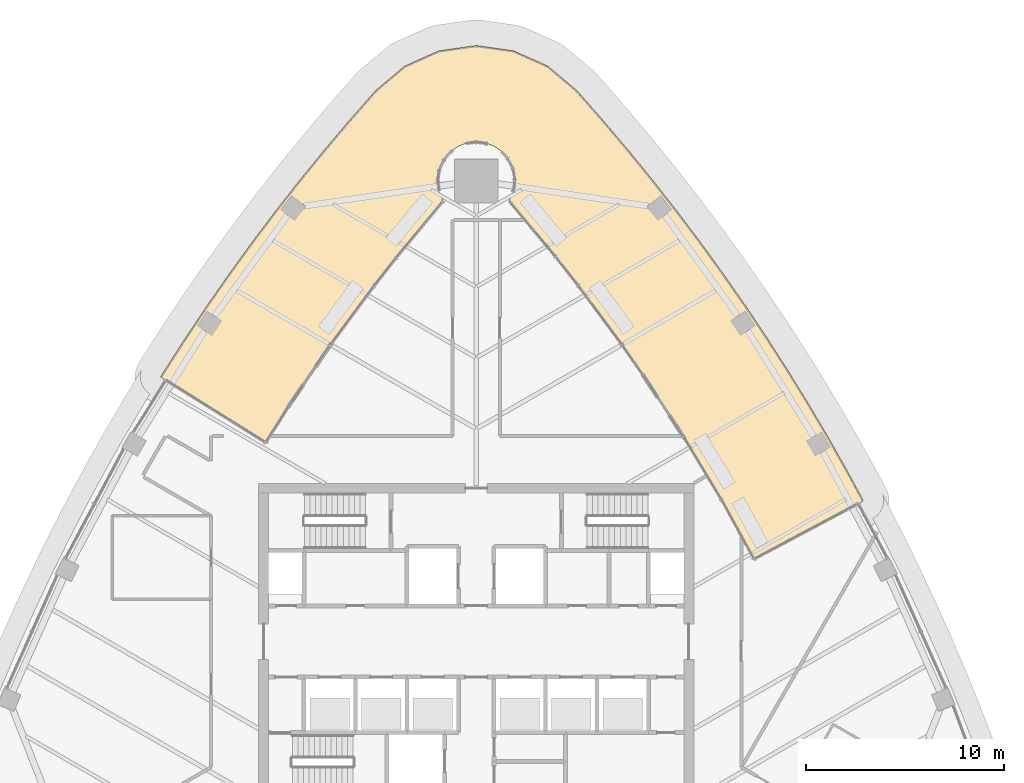
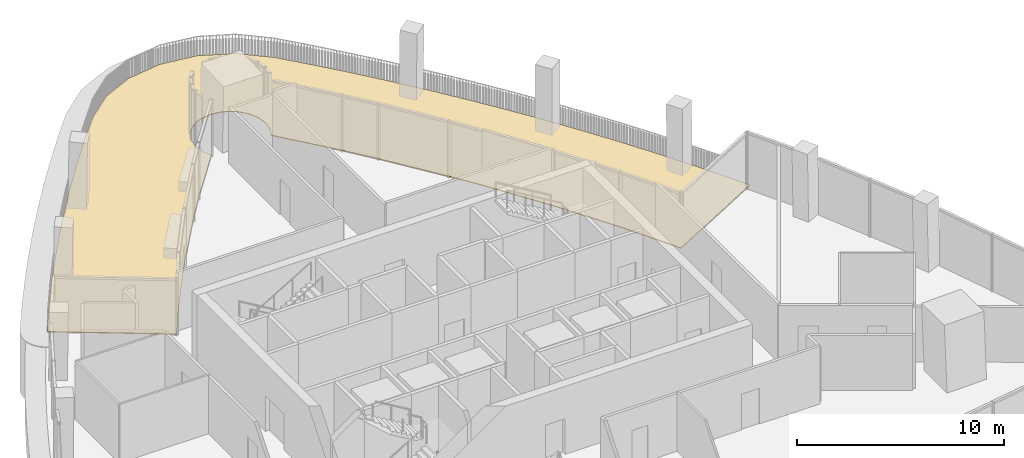
# One storey, part 16 of 18: 1 covering.
"""IFC4 building model written with IfcOpenShell, lengths in metres."""

from ifc_helpers import new_model, si_unit, direction, frame, origin, place, context, subcontext, project, spatial, polyline, outline, extrude, material, layer, layer_set, type_object, element, save


model = new_model("IFC4")

# Units and contexts
model_context = context("Model", 3, precision=1e-05, world=origin(), true_north=direction((0.0, 1.0)))
body_context = subcontext(model_context, "Body", "Model", "MODEL_VIEW")
ifc_project = project(units=[si_unit("LENGTHUNIT", "METRE"), si_unit("AREAUNIT", "SQUARE_METRE"), si_unit("VOLUMEUNIT", "CUBIC_METRE"), si_unit("PLANEANGLEUNIT", "RADIAN"), si_unit("MASSUNIT", "GRAM", prefix="KILO")], contexts=[model_context])

# Site, building, storey
site_placement = place(None, origin())
site = spatial("IfcSite", under=ifc_project, at=site_placement, CompositionType="ELEMENT")
building_placement = place(site_placement, origin())
building = spatial("IfcBuilding", under=site, at=building_placement, Name="Sierra Prisma Convention Tower", CompositionType="ELEMENT")
storey_placement = place(building_placement, frame((0.0, 0.0, 307.0)))
storey = spatial("IfcBuildingStorey", under=building, at=storey_placement, Name="L70", CompositionType="ELEMENT", Elevation=307.0)

# Covering
ifc_material = material(Name="Porcelain stoneware paving", Category="masonry")
ifc_layer = layer(ifc_material, 0.0400390625)
ifc_layer_set = layer_set([ifc_layer], Name="Terrace paving")
covering_type = type_object("IfcCoveringType", Name="Terrace paving", PredefinedType="FLOORING", material=ifc_layer_set)
covering_placement = place(storey_placement, origin())
element("IfcCovering", 1, at=covering_placement, inside=storey, type_object=covering_type, Name="Terrace paving L70", PredefinedType="FLOORING", context=body_context, shape_type="SweptSolid", body=[
    extrude(outline(polyline([(19.568603515625, 7.124755859375), (18.789794921875, 8.566650390625), (17.81787109375, 10.287109375), (16.813720703125, 11.989013671875), (15.77783203125, 13.671875), (14.71044921875, 15.334716796875), (13.612060546875, 16.977294921875), (12.48291015625, 18.598876953125), (11.3232421875, 20.198974609375), (10.1337890625, 21.77685546875), (8.9150390625, 23.33203125), (7.6669921875, 24.8642578125), (6.390625, 26.37255859375), (5.0859375, 27.856689453125), (3.628173828125, 29.0849609375), (1.8876953125, 29.8623046875), (0.0, 30.12841796875), (-1.8876953125, 29.8623046875), (-3.628173828125, 29.0849609375), (-5.0859375, 27.856689453125), (-6.390625, 26.37255859375), (-7.6669921875, 24.8642578125), (-8.9150390625, 23.33203125), (-10.1337890625, 21.77685546875), (-11.3232421875, 20.198974609375), (-12.48291015625, 18.598876953125), (-13.612060546875, 16.977294921875), (-14.71044921875, 15.334716796875), (-15.77783203125, 13.671875), (-15.954833984375, 13.384521484375), (-10.6396484375, 10.068603515625), (-9.482421875, 11.9091796875), (-7.387451171875, 14.97900390625), (-5.17822265625, 17.9677734375), (-4.031982421875, 19.4306640625), (-1.666015625, 22.2802734375), (-1.871337890625, 22.732177734375), (-1.95556640625, 23.2998046875), (-1.871337890625, 23.86767578125), (-1.6259765625, 24.386474609375), (-1.24072265625, 24.8115234375), (-0.921875, 25.024658203125), (-0.567626953125, 25.17138671875), (0.0, 25.255615234375), (0.567626953125, 25.17138671875), (0.921875, 25.024658203125), (1.24072265625, 24.8115234375), (1.6259765625, 24.386474609375), (1.871337890625, 23.86767578125), (1.95556640625, 23.2998046875), (1.871337890625, 22.732177734375), (1.666015625, 22.2802734375), (4.031982421875, 19.4306640625), (5.17822265625, 17.9677734375), (7.387451171875, 14.97900390625), (8.449462890625, 13.453857421875), (10.486328125, 10.34521484375), (12.405029296875, 7.162109375), (14.03955078125, 4.179931640625), (19.568603515625, 7.124755859375)])), origin(), (0.0, 0.0, 1.0), 0.0400390625),
])

save(model, "model.ifc")
